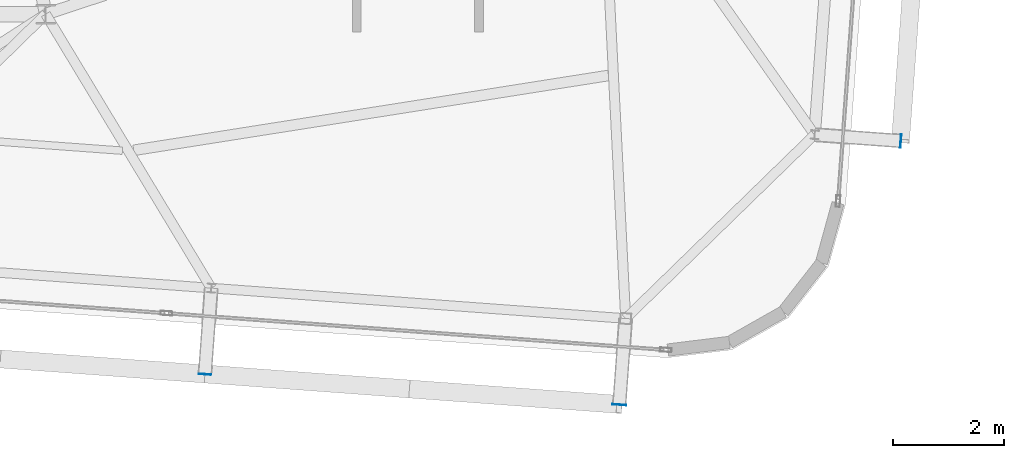
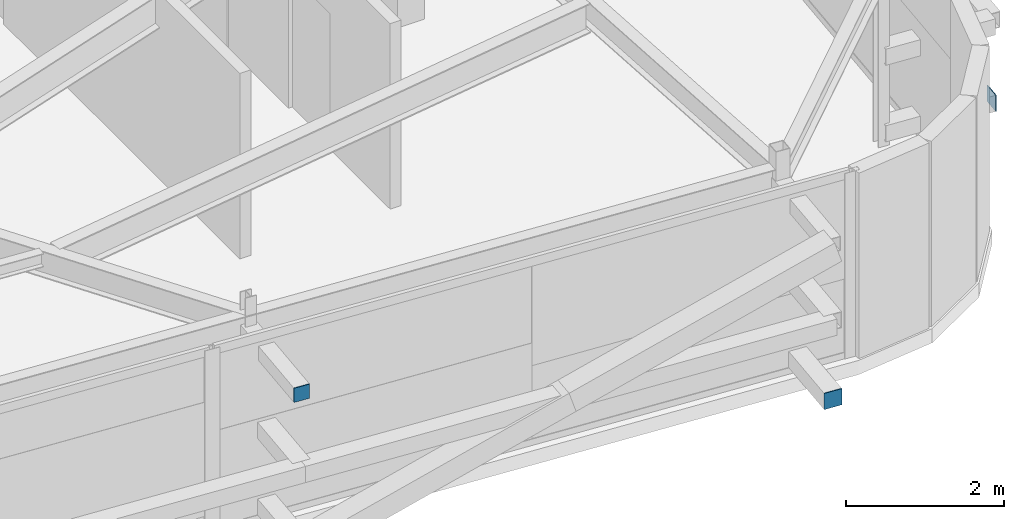
# One storey, part 32 of 40: 3 plates.
"""IFC4 building model written with IfcOpenShell, lengths in metres."""

from ifc_helpers import new_model, si_unit, direction, frame, origin, origin_2d, place, context, subcontext, project, spatial, rectangle, extrude, source, transform, mapped, material, layer, layer_set, type_object, element, save


model = new_model("IFC4")

# Units and contexts
model_context = context("Model", 3, precision=1e-05, world=origin(), true_north=direction((0.0, 1.0)))
body_context = subcontext(model_context, "Body", "Model", "MODEL_VIEW")
ifc_project = project(units=[si_unit("LENGTHUNIT", "METRE"), si_unit("AREAUNIT", "SQUARE_METRE"), si_unit("VOLUMEUNIT", "CUBIC_METRE"), si_unit("PLANEANGLEUNIT", "RADIAN"), si_unit("MASSUNIT", "GRAM", prefix="KILO")], contexts=[model_context])

# Site, building, storey
site_placement = place(None, origin())
site = spatial("IfcSite", under=ifc_project, at=site_placement, CompositionType="ELEMENT")
building_placement = place(site_placement, origin())
building = spatial("IfcBuilding", under=site, at=building_placement, Name="Taldren Reach Tower", CompositionType="ELEMENT")
storey_placement = place(building_placement, frame((0.0, 0.0, 233.449951171875)))
storey = spatial("IfcBuildingStorey", under=building, at=storey_placement, Name="L71", CompositionType="ELEMENT", Elevation=233.449951171875)

# Plates
ifc_material_1 = material(Name="Steel Gr 350 (C350L0)", Category="steel")
ifc_layer_1 = layer(ifc_material_1, 0.011962890625)
ifc_layer_set_1 = layer_set([ifc_layer_1], Name="Steel Gr 350 (C350L0)")
plate_type_1 = type_object("IfcPlateType", Name="PL-CAP-250", PredefinedType="SHEET", material=ifc_layer_set_1)
shared_shape_1 = source(origin(), body_context, "Body", "SweptSolid", [
    extrude(rectangle(XDim=0.25, YDim=0.011962890625, at=origin_2d()), origin(), (0.0, 0.0, 1.0), 0.25),
])
plate_1_placement = place(storey_placement, frame((52.326171875, 2.169189453125, 0.094970703125), z_axis=(0.0, 0.0, 1.0), x_axis=(0.997314477224, -0.073238197128, 0.0)))
element("IfcPlate", 1, at=plate_1_placement, inside=storey, type_object=plate_type_1, Name="Tie strut end cap plate B5-S6 L71", PredefinedType="SHEET", context=body_context, shape_type="MappedRepresentation", body=[
    mapped(shared_shape_1, transform((0.0, 0.0, 0.0), scale=1.0)),
])
shared_shape_2 = source(origin(), body_context, "Body", "SweptSolid", [
    extrude(rectangle(XDim=0.011962890625, YDim=0.25, at=origin_2d()), origin(), (0.0, 0.0, 1.0), 0.25),
])
plate_2_placement = place(storey_placement, frame((57.3935546875, 6.9169921875, 0.094970703125), z_axis=(0.0, 0.0, 1.0), x_axis=(0.997314477224, -0.073238197128, 0.0)))
element("IfcPlate", 2, at=plate_2_placement, inside=storey, type_object=plate_type_1, Name="Tie strut end cap plate B5-E1 L71", PredefinedType="SHEET", context=body_context, shape_type="MappedRepresentation", body=[
    mapped(shared_shape_2, transform((0.0, 0.0, 0.0), scale=1.0)),
])
ifc_material_2 = material(Name="Steel Gr 450 (C450L0)", Category="steel")
ifc_layer_2 = layer(ifc_material_2, 0.011962890625)
ifc_layer_set_2 = layer_set([ifc_layer_2], Name="Steel Gr 450 (C450L0)")
plate_type_2 = type_object("IfcPlateType", Name="PL-CAP-220", PredefinedType="SHEET", material=ifc_layer_set_2)
shared_shape_3 = source(origin(), body_context, "Body", "SweptSolid", [
    extrude(rectangle(XDim=0.219970703125, YDim=0.011962890625, at=origin_2d()), origin(), (0.0, 0.0, 1.0), 0.219970703125),
])
plate_3_placement = place(storey_placement, frame((44.866455078125, 2.717041015625, 2.47998046875), z_axis=(0.0, 0.0, 1.0), x_axis=(0.997314477224, -0.073238197128, 0.0)))
element("IfcPlate", 3, at=plate_3_placement, inside=storey, type_object=plate_type_2, Name="Tie strut end cap plate B5-S5 L71", PredefinedType="SHEET", context=body_context, shape_type="MappedRepresentation", body=[
    mapped(shared_shape_3, transform((0.0, 0.0, 0.0), scale=1.0)),
])

save(model, "model.ifc")
